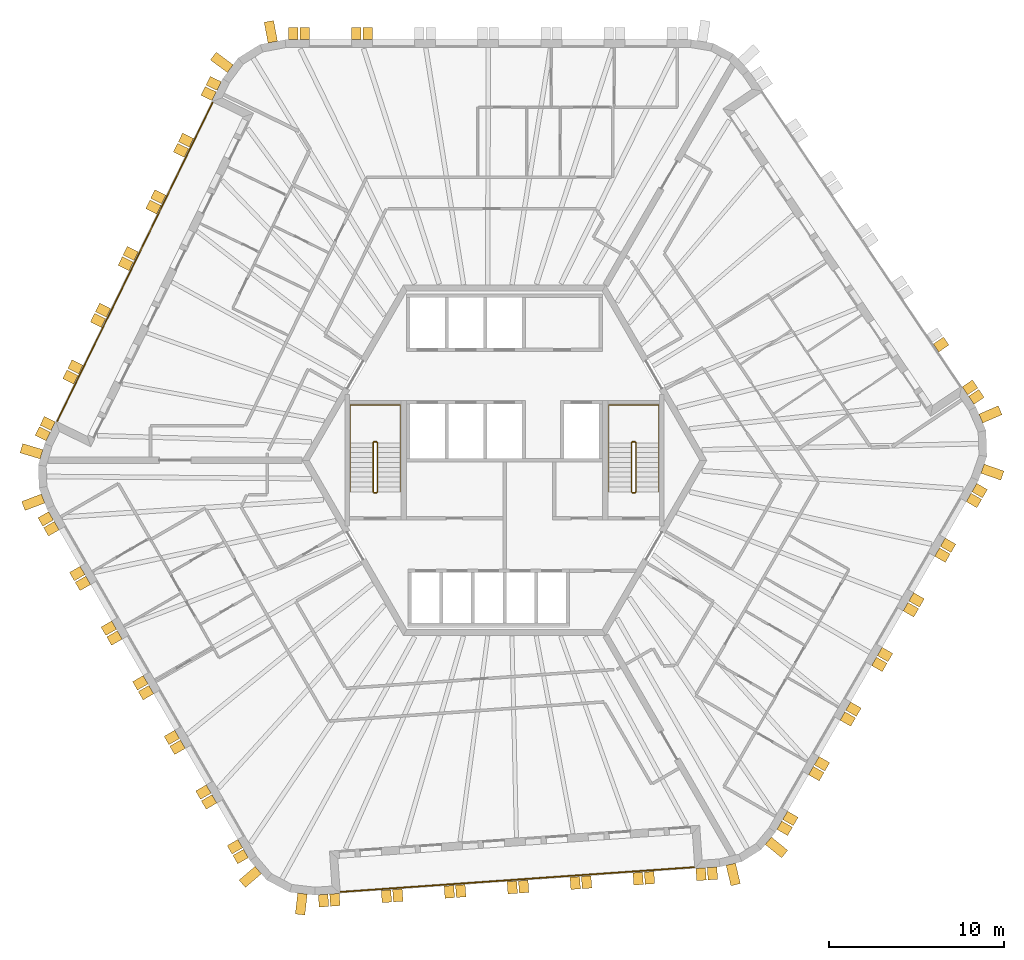
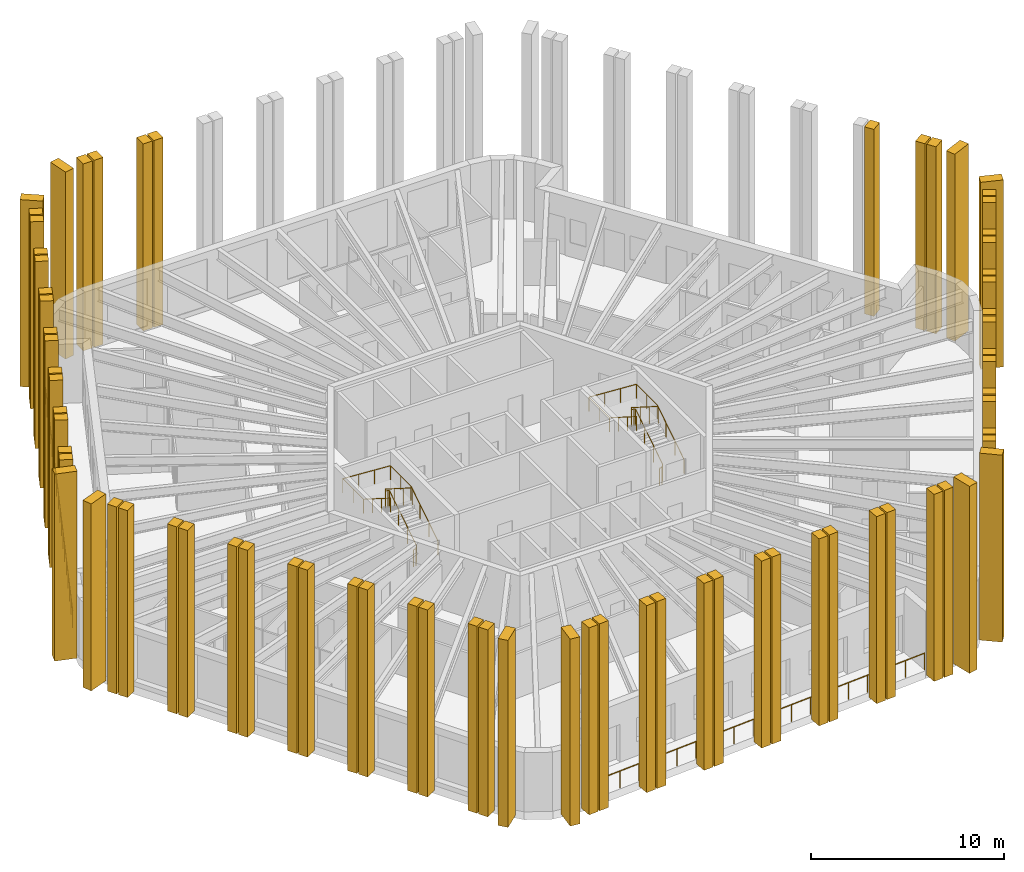
# One storey, part 11 of 12: 73 shading devices, 6 railings.
"""IFC4 building model written with IfcOpenShell, lengths in metres."""

from ifc_helpers import new_model, si_unit, direction, frame, origin, origin_2d, place, context, subcontext, project, spatial, polyline, circle, outline, extrude, material, layer, layer_set, type_object, element, save


model = new_model("IFC4")

# Units and contexts
model_context = context("Model", 3, precision=1e-05, world=origin(), true_north=direction((0.0, 1.0)))
body_context = subcontext(model_context, "Body", "Model", "MODEL_VIEW")
ifc_project = project(units=[si_unit("LENGTHUNIT", "METRE"), si_unit("AREAUNIT", "SQUARE_METRE"), si_unit("VOLUMEUNIT", "CUBIC_METRE"), si_unit("PLANEANGLEUNIT", "RADIAN"), si_unit("MASSUNIT", "GRAM", prefix="KILO")], contexts=[model_context])

# Site, building, storey
site_placement = place(None, origin())
site = spatial("IfcSite", under=ifc_project, at=site_placement, CompositionType="ELEMENT")
building_placement = place(site_placement, origin())
building = spatial("IfcBuilding", under=site, at=building_placement, Name="Tarnside Tower", CompositionType="ELEMENT")
storey_placement = place(building_placement, frame((0.0, 0.0, 349.5)))
storey = spatial("IfcBuildingStorey", under=building, at=storey_placement, Name="L84", CompositionType="ELEMENT", Elevation=349.5)

# Railings
ifc_material_1 = material(Name="Toughened glass", Category="glass")
railing_type_1 = type_object("IfcRailingType", Name="Glass guard 1100", PredefinedType="GUARDRAIL", material=ifc_material_1)
railing_1_placement = place(storey_placement, frame((-16.645263671875, 20.437744140625, 0.0)))
element("IfcRailing", 1, at=railing_1_placement, inside=storey, type_object=railing_type_1, Name="Loggia guard L84 F2", PredefinedType="GUARDRAIL", context=body_context, shape_type="SweptSolid", body=[
    extrude(circle(Radius=0.030029296875, at=origin_2d()), frame((0.0, 0.0, 1.070068359375), z_axis=(-0.438370743641, -0.898794242928, 0.0), x_axis=(0.898794242928, -0.438370743641, 0.0)), (0.0, 0.0, 1.0), 20.28173828125),
    extrude(circle(Radius=0.02490234375, at=origin_2d()), origin(), (0.0, 0.0, 1.0), 1.0400390625),
    extrude(circle(Radius=0.02490234375, at=origin_2d()), frame((-0.52294921875, -1.072265625, 0.0)), (0.0, 0.0, 1.0), 1.0400390625),
    extrude(circle(Radius=0.02490234375, at=origin_2d()), frame((-1.0458984375, -2.14453125, 0.0)), (0.0, 0.0, 1.0), 1.0400390625),
    extrude(circle(Radius=0.02490234375, at=origin_2d()), frame((-1.569091796875, -3.216796875, 0.0)), (0.0, 0.0, 1.0), 1.0400390625),
    extrude(circle(Radius=0.02490234375, at=origin_2d()), frame((-2.092041015625, -4.2890625, 0.0)), (0.0, 0.0, 1.0), 1.0400390625),
    extrude(circle(Radius=0.02490234375, at=origin_2d()), frame((-2.614990234375, -5.361572265625, 0.0)), (0.0, 0.0, 1.0), 1.0400390625),
    extrude(circle(Radius=0.02490234375, at=origin_2d()), frame((-3.137939453125, -6.433837890625, 0.0)), (0.0, 0.0, 1.0), 1.0400390625),
    extrude(circle(Radius=0.02490234375, at=origin_2d()), frame((-3.660888671875, -7.506103515625, 0.0)), (0.0, 0.0, 1.0), 1.0400390625),
    extrude(circle(Radius=0.02490234375, at=origin_2d()), frame((-4.183837890625, -8.578369140625, 0.0)), (0.0, 0.0, 1.0), 1.0400390625),
    extrude(circle(Radius=0.02490234375, at=origin_2d()), frame((-4.70703125, -9.650634765625, 0.0)), (0.0, 0.0, 1.0), 1.0400390625),
    extrude(circle(Radius=0.02490234375, at=origin_2d()), frame((-5.22998046875, -10.722900390625, 0.0)), (0.0, 0.0, 1.0), 1.0400390625),
    extrude(circle(Radius=0.02490234375, at=origin_2d()), frame((-5.7529296875, -11.795166015625, 0.0)), (0.0, 0.0, 1.0), 1.0400390625),
    extrude(circle(Radius=0.02490234375, at=origin_2d()), frame((-6.27587890625, -12.867431640625, 0.0)), (0.0, 0.0, 1.0), 1.0400390625),
    extrude(circle(Radius=0.02490234375, at=origin_2d()), frame((-6.798828125, -13.93994140625, 0.0)), (0.0, 0.0, 1.0), 1.0400390625),
    extrude(circle(Radius=0.02490234375, at=origin_2d()), frame((-7.32177734375, -15.01220703125, 0.0)), (0.0, 0.0, 1.0), 1.0400390625),
    extrude(circle(Radius=0.02490234375, at=origin_2d()), frame((-7.844970703125, -16.08447265625, 0.0)), (0.0, 0.0, 1.0), 1.0400390625),
    extrude(circle(Radius=0.02490234375, at=origin_2d()), frame((-8.367919921875, -17.15673828125, 0.0)), (0.0, 0.0, 1.0), 1.0400390625),
    extrude(circle(Radius=0.02490234375, at=origin_2d()), frame((-8.890869140625, -18.22900390625, 0.0)), (0.0, 0.0, 1.0), 1.0400390625),
])
railing_2_placement = place(storey_placement, frame((-9.376953125, -24.634033203125, 0.0)))
element("IfcRailing", 2, at=railing_2_placement, inside=storey, type_object=railing_type_1, Name="Loggia guard L84 F4", PredefinedType="GUARDRAIL", context=body_context, shape_type="SweptSolid", body=[
    extrude(circle(Radius=0.030029296875, at=origin_2d()), frame((0.0, 0.0, 1.070068359375), z_axis=(0.997563970542, 0.069757613753, 0.0), x_axis=(-0.069757613753, 0.997563970542, 0.0)), (0.0, 0.0, 1.0), 20.281494140625),
    extrude(circle(Radius=0.02490234375, at=origin_2d()), origin(), (0.0, 0.0, 1.0), 1.0400390625),
    extrude(circle(Radius=0.02490234375, at=origin_2d()), frame((1.190185546875, 0.083251953125, 0.0)), (0.0, 0.0, 1.0), 1.0400390625),
    extrude(circle(Radius=0.02490234375, at=origin_2d()), frame((2.38037109375, 0.16650390625, 0.0)), (0.0, 0.0, 1.0), 1.0400390625),
    extrude(circle(Radius=0.02490234375, at=origin_2d()), frame((3.5703125, 0.249755859375, 0.0)), (0.0, 0.0, 1.0), 1.0400390625),
    extrude(circle(Radius=0.02490234375, at=origin_2d()), frame((4.760498046875, 0.3330078125, 0.0)), (0.0, 0.0, 1.0), 1.0400390625),
    extrude(circle(Radius=0.02490234375, at=origin_2d()), frame((5.95068359375, 0.416015625, 0.0)), (0.0, 0.0, 1.0), 1.0400390625),
    extrude(circle(Radius=0.02490234375, at=origin_2d()), frame((7.140869140625, 0.499267578125, 0.0)), (0.0, 0.0, 1.0), 1.0400390625),
    extrude(circle(Radius=0.02490234375, at=origin_2d()), frame((8.330810546875, 0.58251953125, 0.0)), (0.0, 0.0, 1.0), 1.0400390625),
    extrude(circle(Radius=0.02490234375, at=origin_2d()), frame((9.52099609375, 0.665771484375, 0.0)), (0.0, 0.0, 1.0), 1.0400390625),
    extrude(circle(Radius=0.02490234375, at=origin_2d()), frame((10.711181640625, 0.7490234375, 0.0)), (0.0, 0.0, 1.0), 1.0400390625),
    extrude(circle(Radius=0.02490234375, at=origin_2d()), frame((11.9013671875, 0.832275390625, 0.0)), (0.0, 0.0, 1.0), 1.0400390625),
    extrude(circle(Radius=0.02490234375, at=origin_2d()), frame((13.09130859375, 0.91552734375, 0.0)), (0.0, 0.0, 1.0), 1.0400390625),
    extrude(circle(Radius=0.02490234375, at=origin_2d()), frame((14.281494140625, 0.998779296875, 0.0)), (0.0, 0.0, 1.0), 1.0400390625),
    extrude(circle(Radius=0.02490234375, at=origin_2d()), frame((15.4716796875, 1.081787109375, 0.0)), (0.0, 0.0, 1.0), 1.0400390625),
    extrude(circle(Radius=0.02490234375, at=origin_2d()), frame((16.661865234375, 1.1650390625, 0.0)), (0.0, 0.0, 1.0), 1.0400390625),
    extrude(circle(Radius=0.02490234375, at=origin_2d()), frame((17.851806640625, 1.248291015625, 0.0)), (0.0, 0.0, 1.0), 1.0400390625),
    extrude(circle(Radius=0.02490234375, at=origin_2d()), frame((19.0419921875, 1.33154296875, 0.0)), (0.0, 0.0, 1.0), 1.0400390625),
    extrude(circle(Radius=0.02490234375, at=origin_2d()), frame((20.232177734375, 1.414794921875, 0.0)), (0.0, 0.0, 1.0), 1.0400390625),
])

# Shading devices
ifc_material_2 = material(Name="Concrete C50/60 white precast", Category="concrete")
ifc_layer_1 = layer(ifc_material_2, 0.550048828125)
ifc_layer_set_1 = layer_set([ifc_layer_1], Name="Precast fin 550 x 1200")
shading_device_type_1 = type_object("IfcShadingDeviceType", Name="Precast fin 550 x 1200", PredefinedType="USERDEFINED", material=ifc_layer_set_1)
for number, where, z_axis, x_axis, name in (
    (3, (-13.2255859375, 23.86669921875, -0.300048828125), (0.982720646705, 0.18509492305, 0.0), (-0.18509492305, 0.982720646705, 0.0), "Precast fin"),
    (4, (-15.653564453125, 22.349609375, -0.300048828125), (0.597158591707, 0.802123192752, 0.0), (-0.802123192752, 0.597158591707, 0.0), "Precast fin"),
    (5, (-26.421630859375, 0.34228515625, -0.300048828125), (0.286803232717, 0.957989512314, 0.0), (-0.957989512314, 0.286803232717, 0.0), "Precast fin"),
    (6, (-26.33349609375, -2.1845703125, -0.300048828125), (-0.352930564719, 0.935649515837, 0.0), (-0.935649515837, -0.352930564719, 0.0), "Precast fin"),
    (7, (-14.056396484375, -23.38720703125, -0.300048828125), (-0.651657228826, 0.758513583345, 0.0), (-0.758513583345, -0.651657228826, 0.0), "Precast fin"),
    (8, (-11.528564453125, -24.731201171875, -0.300048828125), (-0.993238357741, 0.116092914131, 0.0), (-0.116092914131, -0.993238357741, 0.0), "Precast fin"),
    (9, (12.914306640625, -23.052978515625, -0.300048828125), (-0.973044870581, -0.230615870737, 0.0), (0.230615870737, -0.973044870581, 0.0), "Precast fin"),
    (10, (15.05859375, -21.713134765625, -0.300048828125), (-0.633830967394, -0.773471592738, 0.0), (0.773471592738, -0.633830967394, 0.0), "Precast fin"),
    (11, (27.281982421875, -0.4794921875, -0.300048828125), (-0.331063417879, -0.943608506396, 0.0), (0.943608506396, -0.331063417879, 0.0), "Precast fin"),
    (12, (27.18212890625, 2.381591796875, -0.300048828125), (0.396079766034, -0.918216106883, 0.0), (0.918216106883, 0.396079766034, 0.0), "Precast fin"),
):
    element("IfcShadingDevice", number, at=place(storey_placement, frame(where, z_axis=z_axis, x_axis=x_axis)), inside=storey, type_object=shading_device_type_1, Name=name, ObjectType="FIN", PredefinedType="USERDEFINED", context=body_context, shape_type="SweptSolid", body=[
        extrude(outline(polyline([(0.0, 0.0), (1.199951171875, 0.0), (1.199951171875, 11.85009765625), (0.0, 11.85009765625), (0.0, 0.0)])), frame((0.0, 0.0, -0.27490234375)), (0.0, 0.0, 1.0), 0.550048828125),
    ])
ifc_layer_2 = layer(ifc_material_2, 0.550048828125)
ifc_layer_set_2 = layer_set([ifc_layer_2], Name="Precast fin 550 x 700")
shading_device_type_2 = type_object("IfcShadingDeviceType", Name="Precast fin 550 x 700", PredefinedType="USERDEFINED", material=ifc_layer_set_2)
for number, where, z_axis, x_axis, name in (
    (13, (-7.806640625, 24.0, -0.300048828125), (1.0, 0.0, 0.0), (0.0, 1.0, 0.0), "Precast fin"),
    (14, (-8.45654296875, 24.0, -0.300048828125), (1.0, 0.0, 0.0), (0.0, 1.0, 0.0), "Precast fin"),
    (15, (-11.406494140625, 24.0, -0.300048828125), (1.0, 0.0, 0.0), (0.0, 1.0, 0.0), "Precast fin"),
    (16, (-12.056640625, 24.0, -0.300048828125), (1.0, 0.0, 0.0), (0.0, 1.0, 0.0), "Precast fin"),
    (17, (-16.285888671875, 21.357177734375, -0.300048828125), (0.438371146789, 0.898794046299, 0.0), (-0.898794046299, 0.438371146789, 0.0), "Precast fin"),
    (18, (-16.57080078125, 20.773193359375, -0.300048828125), (0.438371146789, 0.898794046299, 0.0), (-0.898794046299, 0.438371146789, 0.0), "Precast fin"),
    (19, (-17.864013671875, 18.12158203125, -0.300048828125), (0.438371146789, 0.898794046299, 0.0), (-0.898794046299, 0.438371146789, 0.0), "Precast fin"),
    (20, (-18.14892578125, 17.537353515625, -0.300048828125), (0.438371146789, 0.898794046299, 0.0), (-0.898794046299, 0.438371146789, 0.0), "Precast fin"),
    (21, (-19.442138671875, 14.885986328125, -0.300048828125), (0.438371146789, 0.898794046299, 0.0), (-0.898794046299, 0.438371146789, 0.0), "Precast fin"),
    (22, (-19.72705078125, 14.3017578125, -0.300048828125), (0.438371146789, 0.898794046299, 0.0), (-0.898794046299, 0.438371146789, 0.0), "Precast fin"),
    (23, (-21.020263671875, 11.650390625, -0.300048828125), (0.438371146789, 0.898794046299, 0.0), (-0.898794046299, 0.438371146789, 0.0), "Precast fin"),
    (24, (-21.30517578125, 11.066162109375, -0.300048828125), (0.438371146789, 0.898794046299, 0.0), (-0.898794046299, 0.438371146789, 0.0), "Precast fin"),
    (25, (-22.598388671875, 8.41455078125, -0.300048828125), (0.438371146789, 0.898794046299, 0.0), (-0.898794046299, 0.438371146789, 0.0), "Precast fin"),
    (26, (-22.88330078125, 7.83056640625, -0.300048828125), (0.438371146789, 0.898794046299, 0.0), (-0.898794046299, 0.438371146789, 0.0), "Precast fin"),
    (27, (-24.176513671875, 5.178955078125, -0.300048828125), (0.438371146789, 0.898794046299, 0.0), (-0.898794046299, 0.438371146789, 0.0), "Precast fin"),
    (28, (-24.46142578125, 4.5947265625, -0.300048828125), (0.438371146789, 0.898794046299, 0.0), (-0.898794046299, 0.438371146789, 0.0), "Precast fin"),
    (29, (-25.754638671875, 1.943359375, -0.300048828125), (0.438371146789, 0.898794046299, 0.0), (-0.898794046299, 0.438371146789, 0.0), "Precast fin"),
    (30, (-26.03955078125, 1.359130859375, -0.300048828125), (0.438371146789, 0.898794046299, 0.0), (-0.898794046299, 0.438371146789, 0.0), "Precast fin"),
    (31, (-25.88134765625, -3.17236328125, -0.300048828125), (-0.5, 0.866025403784, 0.0), (-0.866025403784, -0.5, 0.0), "Precast fin"),
    (32, (-25.556396484375, -3.735107421875, -0.300048828125), (-0.5, 0.866025403784, 0.0), (-0.866025403784, -0.5, 0.0), "Precast fin"),
    (33, (-24.081298828125, -6.2900390625, -0.300048828125), (-0.5, 0.866025403784, 0.0), (-0.866025403784, -0.5, 0.0), "Precast fin"),
    (34, (-23.75634765625, -6.852783203125, -0.300048828125), (-0.5, 0.866025403784, 0.0), (-0.866025403784, -0.5, 0.0), "Precast fin"),
    (35, (-22.28125, -9.40771484375, -0.300048828125), (-0.5, 0.866025403784, 0.0), (-0.866025403784, -0.5, 0.0), "Precast fin"),
    (36, (-21.956298828125, -9.970458984375, -0.300048828125), (-0.5, 0.866025403784, 0.0), (-0.866025403784, -0.5, 0.0), "Precast fin"),
    (37, (-20.481201171875, -12.525390625, -0.300048828125), (-0.5, 0.866025403784, 0.0), (-0.866025403784, -0.5, 0.0), "Precast fin"),
    (38, (-20.15625, -13.08837890625, -0.300048828125), (-0.5, 0.866025403784, 0.0), (-0.866025403784, -0.5, 0.0), "Precast fin"),
    (39, (-18.681396484375, -15.64306640625, -0.300048828125), (-0.5, 0.866025403784, 0.0), (-0.866025403784, -0.5, 0.0), "Precast fin"),
    (40, (-18.356201171875, -16.2060546875, -0.300048828125), (-0.5, 0.866025403784, 0.0), (-0.866025403784, -0.5, 0.0), "Precast fin"),
    (41, (-16.88134765625, -18.7607421875, -0.300048828125), (-0.5, 0.866025403784, 0.0), (-0.866025403784, -0.5, 0.0), "Precast fin"),
    (42, (-16.556396484375, -19.32373046875, -0.300048828125), (-0.5, 0.866025403784, 0.0), (-0.866025403784, -0.5, 0.0), "Precast fin"),
    (43, (-15.081298828125, -21.87841796875, -0.300048828125), (-0.5, 0.866025403784, 0.0), (-0.866025403784, -0.5, 0.0), "Precast fin"),
    (44, (-14.75634765625, -22.44140625, -0.300048828125), (-0.5, 0.866025403784, 0.0), (-0.866025403784, -0.5, 0.0), "Precast fin"),
    (45, (-10.35302734375, -24.782470703125, -0.300048828125), (-0.99756405026, -0.069756473744, 0.0), (0.069756473744, -0.99756405026, 0.0), "Precast fin"),
    (46, (-9.70458984375, -24.7373046875, -0.300048828125), (-0.99756405026, -0.069756473744, 0.0), (0.069756473744, -0.99756405026, 0.0), "Precast fin"),
    (47, (-6.76171875, -24.531494140625, -0.300048828125), (-0.99756405026, -0.069756473744, 0.0), (0.069756473744, -0.99756405026, 0.0), "Precast fin"),
    (48, (-6.113525390625, -24.486083984375, -0.300048828125), (-0.99756405026, -0.069756473744, 0.0), (0.069756473744, -0.99756405026, 0.0), "Precast fin"),
    (49, (-3.170654296875, -24.2802734375, -0.300048828125), (-0.99756405026, -0.069756473744, 0.0), (0.069756473744, -0.99756405026, 0.0), "Precast fin"),
    (50, (-2.522216796875, -24.23486328125, -0.300048828125), (-0.99756405026, -0.069756473744, 0.0), (0.069756473744, -0.99756405026, 0.0), "Precast fin"),
    (51, (0.420654296875, -24.029296875, -0.300048828125), (-0.99756405026, -0.069756473744, 0.0), (0.069756473744, -0.99756405026, 0.0), "Precast fin"),
    (52, (1.069091796875, -23.98388671875, -0.300048828125), (-0.99756405026, -0.069756473744, 0.0), (0.069756473744, -0.99756405026, 0.0), "Precast fin"),
    (53, (4.011962890625, -23.778076171875, -0.300048828125), (-0.99756405026, -0.069756473744, 0.0), (0.069756473744, -0.99756405026, 0.0), "Precast fin"),
    (54, (4.66015625, -23.732666015625, -0.300048828125), (-0.99756405026, -0.069756473744, 0.0), (0.069756473744, -0.99756405026, 0.0), "Precast fin"),
    (55, (7.60302734375, -23.52685546875, -0.300048828125), (-0.99756405026, -0.069756473744, 0.0), (0.069756473744, -0.99756405026, 0.0), "Precast fin"),
    (56, (8.25146484375, -23.481689453125, -0.300048828125), (-0.99756405026, -0.069756473744, 0.0), (0.069756473744, -0.99756405026, 0.0), "Precast fin"),
    (57, (11.1943359375, -23.27587890625, -0.300048828125), (-0.99756405026, -0.069756473744, 0.0), (0.069756473744, -0.99756405026, 0.0), "Precast fin"),
    (58, (11.8427734375, -23.23046875, -0.300048828125), (-0.99756405026, -0.069756473744, 0.0), (0.069756473744, -0.99756405026, 0.0), "Precast fin"),
    (59, (15.68798828125, -20.82763671875, -0.300048828125), (-0.5, -0.866025403784, 0.0), (0.866025403784, -0.5, 0.0), "Precast fin"),
    (60, (16.012939453125, -20.264892578125, -0.300048828125), (-0.5, -0.866025403784, 0.0), (0.866025403784, -0.5, 0.0), "Precast fin"),
    (61, (17.488037109375, -17.7099609375, -0.300048828125), (-0.5, -0.866025403784, 0.0), (0.866025403784, -0.5, 0.0), "Precast fin"),
    (62, (17.81298828125, -17.147216796875, -0.300048828125), (-0.5, -0.866025403784, 0.0), (0.866025403784, -0.5, 0.0), "Precast fin"),
    (63, (19.287841796875, -14.59228515625, -0.300048828125), (-0.5, -0.866025403784, 0.0), (0.866025403784, -0.5, 0.0), "Precast fin"),
    (64, (19.613037109375, -14.029541015625, -0.300048828125), (-0.5, -0.866025403784, 0.0), (0.866025403784, -0.5, 0.0), "Precast fin"),
    (65, (21.087890625, -11.474609375, -0.300048828125), (-0.5, -0.866025403784, 0.0), (0.866025403784, -0.5, 0.0), "Precast fin"),
    (66, (21.412841796875, -10.91162109375, -0.300048828125), (-0.5, -0.866025403784, 0.0), (0.866025403784, -0.5, 0.0), "Precast fin"),
    (67, (22.887939453125, -8.35693359375, -0.300048828125), (-0.5, -0.866025403784, 0.0), (0.866025403784, -0.5, 0.0), "Precast fin"),
    (68, (23.212890625, -7.7939453125, -0.300048828125), (-0.5, -0.866025403784, 0.0), (0.866025403784, -0.5, 0.0), "Precast fin"),
    (69, (24.68798828125, -5.2392578125, -0.300048828125), (-0.5, -0.866025403784, 0.0), (0.866025403784, -0.5, 0.0), "Precast fin"),
    (70, (25.012939453125, -4.67626953125, -0.300048828125), (-0.5, -0.866025403784, 0.0), (0.866025403784, -0.5, 0.0), "Precast fin"),
    (71, (26.488037109375, -2.12158203125, -0.300048828125), (-0.5, -0.866025403784, 0.0), (0.866025403784, -0.5, 0.0), "Precast fin"),
    (72, (26.81298828125, -1.55859375, -0.300048828125), (-0.5, -0.866025403784, 0.0), (0.866025403784, -0.5, 0.0), "Precast fin"),
    (73, (26.638916015625, 3.42529296875, -0.300048828125), (0.559192903471, -0.829037572555, 0.0), (0.829037572555, 0.559192903471, 0.0), "Precast fin"),
    (74, (26.275390625, 3.964111328125, -0.300048828125), (0.559192903471, -0.829037572555, 0.0), (0.829037572555, 0.559192903471, 0.0), "Precast fin"),
    (75, (24.625732421875, 6.409912109375, -0.300048828125), (0.559192903471, -0.829037572555, 0.0), (0.829037572555, 0.559192903471, 0.0), "Precast fin"),
):
    element("IfcShadingDevice", number, at=place(storey_placement, frame(where, z_axis=z_axis, x_axis=x_axis)), inside=storey, type_object=shading_device_type_2, Name=name, ObjectType="FIN", PredefinedType="USERDEFINED", context=body_context, shape_type="SweptSolid", body=[
        extrude(outline(polyline([(0.0, 0.0), (0.699951171875, 0.0), (0.699951171875, 11.85009765625), (0.0, 11.85009765625), (0.0, 0.0)])), frame((0.0, 0.0, -0.27490234375)), (0.0, 0.0, 1.0), 0.550048828125),
    ])

# Railings
ifc_material_3 = material(Name="Stainless steel", Category="steel")
railing_type_2 = type_object("IfcRailingType", Name="Stair guard 1100", PredefinedType="GUARDRAIL", material=ifc_material_3)
railing_3_placement = place(storey_placement, frame((7.300048828125, -1.85009765625, 0.0)))
element("IfcRailing", 76, at=railing_3_placement, inside=storey, type_object=railing_type_2, Name="L84 ST1 stair guard 1", PredefinedType="GUARDRAIL", context=body_context, shape_type="SweptSolid", body=[
    extrude(circle(Radius=0.02392578125, at=origin_2d()), frame((0.0, 0.0, 1.076171875), z_axis=(1.0, 0.0, 0.0), x_axis=(0.0, 1.0, 0.0)), (0.0, 0.0, 1.0), 0.14990234375),
    extrude(circle(Radius=0.02392578125, at=origin_2d()), frame((0.14990234375, 0.0, 1.076171875), z_axis=(0.262233686654, 0.262233686654, 0.928691007369), x_axis=(-0.707106781187, 0.707106781187, 0.0)), (0.0, 0.0, 1.0), 0.19091796875),
    extrude(circle(Radius=0.02392578125, at=origin_2d()), frame((0.199951171875, 0.050048828125, 1.25341796875), z_axis=(0.0, 0.844908973607, 0.534910110503), x_axis=(-1.0, 0.0, 0.0)), (0.0, 0.0, 1.0), 3.31396484375),
    extrude(circle(Radius=0.02392578125, at=origin_2d()), frame((0.199951171875, 2.85009765625, 3.02587890625), z_axis=(-0.707106781187, 0.707106781187, 0.0), x_axis=(-0.707106781187, -0.707106781187, 0.0)), (0.0, 0.0, 1.0), 0.07080078125),
    extrude(circle(Radius=0.02392578125, at=origin_2d()), frame((0.14990234375, 2.900146484375, 3.02587890625), z_axis=(-1.0, 0.0, 0.0), x_axis=(0.0, -1.0, 0.0)), (0.0, 0.0, 1.0), 0.14990234375),
    extrude(circle(Radius=0.02392578125, at=origin_2d()), frame((0.0, 2.900146484375, 3.02587890625), z_axis=(-0.262233686654, -0.262233686654, 0.928691007369), x_axis=(0.707106781187, -0.707106781187, 0.0)), (0.0, 0.0, 1.0), 0.19091796875),
    extrude(circle(Radius=0.02392578125, at=origin_2d()), frame((-0.050048828125, 2.85009765625, 3.203125), z_axis=(0.0, -0.844908973607, 0.534910110503), x_axis=(1.0, 0.0, 0.0)), (0.0, 0.0, 1.0), 3.31396484375),
    extrude(circle(Radius=0.02099609375, at=origin_2d()), origin(), (0.0, 0.0, 1.0), 1.052001953125),
    extrude(circle(Radius=0.02099609375, at=origin_2d()), frame((0.14990234375, 0.0, 0.0)), (0.0, 0.0, 1.0), 1.052001953125),
    extrude(circle(Radius=0.02099609375, at=origin_2d()), frame((0.199951171875, 0.050048828125, 0.17724609375)), (0.0, 0.0, 1.0), 1.052001953125),
    extrude(circle(Radius=0.02099609375, at=origin_2d()), frame((0.199951171875, 0.9833984375, 0.76806640625)), (0.0, 0.0, 1.0), 1.052001953125),
    extrude(circle(Radius=0.02099609375, at=origin_2d()), frame((0.199951171875, 1.916748046875, 1.359130859375)), (0.0, 0.0, 1.0), 1.052001953125),
    extrude(circle(Radius=0.02099609375, at=origin_2d()), frame((0.199951171875, 2.85009765625, 1.949951171875)), (0.0, 0.0, 1.0), 1.052001953125),
    extrude(circle(Radius=0.02099609375, at=origin_2d()), frame((0.14990234375, 2.900146484375, 1.949951171875)), (0.0, 0.0, 1.0), 1.052001953125),
    extrude(circle(Radius=0.02099609375, at=origin_2d()), frame((0.0, 2.900146484375, 1.949951171875)), (0.0, 0.0, 1.0), 1.052001953125),
    extrude(circle(Radius=0.02099609375, at=origin_2d()), frame((-0.050048828125, 2.85009765625, 2.127197265625)), (0.0, 0.0, 1.0), 1.052001953125),
    extrude(circle(Radius=0.02099609375, at=origin_2d()), frame((-0.050048828125, 1.916748046875, 2.718017578125)), (0.0, 0.0, 1.0), 1.052001953125),
    extrude(circle(Radius=0.02099609375, at=origin_2d()), frame((-0.050048828125, 0.9833984375, 3.30908203125)), (0.0, 0.0, 1.0), 1.052001953125),
    extrude(circle(Radius=0.02099609375, at=origin_2d()), frame((-0.050048828125, 0.050048828125, 3.89990234375)), (0.0, 0.0, 1.0), 1.052001953125),
])
railing_4_placement = place(storey_placement, frame((-7.449951171875, -1.85009765625, 0.0)))
element("IfcRailing", 77, at=railing_4_placement, inside=storey, type_object=railing_type_2, Name="L84 ST2 stair guard 1", PredefinedType="GUARDRAIL", context=body_context, shape_type="SweptSolid", body=[
    extrude(circle(Radius=0.02392578125, at=origin_2d()), frame((0.0, 0.0, 1.076171875), z_axis=(1.0, 0.0, 0.0), x_axis=(0.0, 1.0, 0.0)), (0.0, 0.0, 1.0), 0.14990234375),
    extrude(circle(Radius=0.02392578125, at=origin_2d()), frame((0.14990234375, 0.0, 1.076171875), z_axis=(0.262233686654, 0.262233686654, 0.928691007369), x_axis=(-0.707106781187, 0.707106781187, 0.0)), (0.0, 0.0, 1.0), 0.19091796875),
    extrude(circle(Radius=0.02392578125, at=origin_2d()), frame((0.199951171875, 0.050048828125, 1.25341796875), z_axis=(0.0, 0.844908973607, 0.534910110503), x_axis=(-1.0, 0.0, 0.0)), (0.0, 0.0, 1.0), 3.31396484375),
    extrude(circle(Radius=0.02392578125, at=origin_2d()), frame((0.199951171875, 2.85009765625, 3.02587890625), z_axis=(-0.707106781187, 0.707106781187, 0.0), x_axis=(-0.707106781187, -0.707106781187, 0.0)), (0.0, 0.0, 1.0), 0.07080078125),
    extrude(circle(Radius=0.02392578125, at=origin_2d()), frame((0.14990234375, 2.900146484375, 3.02587890625), z_axis=(-1.0, 0.0, 0.0), x_axis=(0.0, -1.0, 0.0)), (0.0, 0.0, 1.0), 0.14990234375),
    extrude(circle(Radius=0.02392578125, at=origin_2d()), frame((0.0, 2.900146484375, 3.02587890625), z_axis=(-0.262233686654, -0.262233686654, 0.928691007369), x_axis=(0.707106781187, -0.707106781187, 0.0)), (0.0, 0.0, 1.0), 0.19091796875),
    extrude(circle(Radius=0.02392578125, at=origin_2d()), frame((-0.050048828125, 2.85009765625, 3.203125), z_axis=(0.0, -0.844908973607, 0.534910110503), x_axis=(1.0, 0.0, 0.0)), (0.0, 0.0, 1.0), 3.31396484375),
    extrude(circle(Radius=0.02099609375, at=origin_2d()), origin(), (0.0, 0.0, 1.0), 1.052001953125),
    extrude(circle(Radius=0.02099609375, at=origin_2d()), frame((0.14990234375, 0.0, 0.0)), (0.0, 0.0, 1.0), 1.052001953125),
    extrude(circle(Radius=0.02099609375, at=origin_2d()), frame((0.199951171875, 0.050048828125, 0.17724609375)), (0.0, 0.0, 1.0), 1.052001953125),
    extrude(circle(Radius=0.02099609375, at=origin_2d()), frame((0.199951171875, 0.9833984375, 0.76806640625)), (0.0, 0.0, 1.0), 1.052001953125),
    extrude(circle(Radius=0.02099609375, at=origin_2d()), frame((0.199951171875, 1.916748046875, 1.359130859375)), (0.0, 0.0, 1.0), 1.052001953125),
    extrude(circle(Radius=0.02099609375, at=origin_2d()), frame((0.199951171875, 2.85009765625, 1.949951171875)), (0.0, 0.0, 1.0), 1.052001953125),
    extrude(circle(Radius=0.02099609375, at=origin_2d()), frame((0.14990234375, 2.900146484375, 1.949951171875)), (0.0, 0.0, 1.0), 1.052001953125),
    extrude(circle(Radius=0.02099609375, at=origin_2d()), frame((0.0, 2.900146484375, 1.949951171875)), (0.0, 0.0, 1.0), 1.052001953125),
    extrude(circle(Radius=0.02099609375, at=origin_2d()), frame((-0.050048828125, 2.85009765625, 2.127197265625)), (0.0, 0.0, 1.0), 1.052001953125),
    extrude(circle(Radius=0.02099609375, at=origin_2d()), frame((-0.050048828125, 1.916748046875, 2.718017578125)), (0.0, 0.0, 1.0), 1.052001953125),
    extrude(circle(Radius=0.02099609375, at=origin_2d()), frame((-0.050048828125, 0.9833984375, 3.30908203125)), (0.0, 0.0, 1.0), 1.052001953125),
    extrude(circle(Radius=0.02099609375, at=origin_2d()), frame((-0.050048828125, 0.050048828125, 3.89990234375)), (0.0, 0.0, 1.0), 1.052001953125),
])
railing_type_3 = type_object("IfcRailingType", Name="Stair handrail 900", PredefinedType="HANDRAIL", material=ifc_material_3)
railing_5_placement = place(storey_placement, frame((8.800048828125, -1.800048828125, 0.17724609375)))
element("IfcRailing", 78, at=railing_5_placement, inside=storey, type_object=railing_type_3, Name="L84 ST1 stair handrail 1", PredefinedType="HANDRAIL", context=body_context, shape_type="SweptSolid", body=[
    extrude(circle(Radius=0.02392578125, at=origin_2d()), frame((0.0, 0.0, 0.8857421875), z_axis=(0.0, 0.844908973607, 0.534910110503), x_axis=(-1.0, 0.0, 0.0)), (0.0, 0.0, 1.0), 3.31396484375),
    extrude(circle(Radius=0.02392578125, at=origin_2d()), frame((0.0, 2.800048828125, 2.65869140625), z_axis=(0.0, 1.0, 0.0), x_axis=(-1.0, 0.0, 0.0)), (0.0, 0.0, 1.0), 2.14990234375),
    extrude(circle(Radius=0.02392578125, at=origin_2d()), frame((0.0, 4.949951171875, 2.65869140625), z_axis=(-0.998071825391, 0.0, 0.06206956872), x_axis=(0.0, -1.0, 0.0)), (0.0, 0.0, 1.0), 2.855712890625),
    extrude(circle(Radius=0.02392578125, at=origin_2d()), frame((-2.85009765625, 4.949951171875, 2.8359375), z_axis=(0.0, -1.0, 0.0), x_axis=(1.0, 0.0, 0.0)), (0.0, 0.0, 1.0), 2.14990234375),
    extrude(circle(Radius=0.02392578125, at=origin_2d()), frame((-2.85009765625, 2.800048828125, 2.8359375), z_axis=(0.0, -0.844908973607, 0.534910110503), x_axis=(1.0, 0.0, 0.0)), (0.0, 0.0, 1.0), 3.31396484375),
    extrude(circle(Radius=0.02099609375, at=origin_2d()), origin(), (0.0, 0.0, 1.0), 0.86181640625),
    extrude(circle(Radius=0.02099609375, at=origin_2d()), frame((0.0, 0.933349609375, 0.5908203125)), (0.0, 0.0, 1.0), 0.86181640625),
    extrude(circle(Radius=0.02099609375, at=origin_2d()), frame((0.0, 1.86669921875, 1.181884765625)), (0.0, 0.0, 1.0), 0.86181640625),
    extrude(circle(Radius=0.02099609375, at=origin_2d()), frame((0.0, 2.800048828125, 1.772705078125)), (0.0, 0.0, 1.0), 0.86181640625),
    extrude(circle(Radius=0.02099609375, at=origin_2d()), frame((0.0, 3.875, 1.772705078125)), (0.0, 0.0, 1.0), 0.86181640625),
    extrude(circle(Radius=0.02099609375, at=origin_2d()), frame((0.0, 4.949951171875, 1.772705078125)), (0.0, 0.0, 1.0), 0.86181640625),
    extrude(circle(Radius=0.02099609375, at=origin_2d()), frame((-0.949951171875, 4.949951171875, 1.831787109375)), (0.0, 0.0, 1.0), 0.86181640625),
    extrude(circle(Radius=0.02099609375, at=origin_2d()), frame((-1.900146484375, 4.949951171875, 1.890869140625)), (0.0, 0.0, 1.0), 0.86181640625),
    extrude(circle(Radius=0.02099609375, at=origin_2d()), frame((-2.85009765625, 4.949951171875, 1.949951171875)), (0.0, 0.0, 1.0), 0.86181640625),
    extrude(circle(Radius=0.02099609375, at=origin_2d()), frame((-2.85009765625, 3.875, 1.949951171875)), (0.0, 0.0, 1.0), 0.86181640625),
    extrude(circle(Radius=0.02099609375, at=origin_2d()), frame((-2.85009765625, 2.800048828125, 1.949951171875)), (0.0, 0.0, 1.0), 0.86181640625),
    extrude(circle(Radius=0.02099609375, at=origin_2d()), frame((-2.85009765625, 1.86669921875, 2.540771484375)), (0.0, 0.0, 1.0), 0.86181640625),
    extrude(circle(Radius=0.02099609375, at=origin_2d()), frame((-2.85009765625, 0.933349609375, 3.1318359375)), (0.0, 0.0, 1.0), 0.86181640625),
    extrude(circle(Radius=0.02099609375, at=origin_2d()), frame((-2.85009765625, 0.0, 3.72265625)), (0.0, 0.0, 1.0), 0.86181640625),
])
railing_6_placement = place(storey_placement, frame((-5.949951171875, -1.800048828125, 0.17724609375)))
element("IfcRailing", 79, at=railing_6_placement, inside=storey, type_object=railing_type_3, Name="L84 ST2 stair handrail 1", PredefinedType="HANDRAIL", context=body_context, shape_type="SweptSolid", body=[
    extrude(circle(Radius=0.02392578125, at=origin_2d()), frame((0.0, 0.0, 0.8857421875), z_axis=(0.0, 0.844908973607, 0.534910110503), x_axis=(-1.0, 0.0, 0.0)), (0.0, 0.0, 1.0), 3.31396484375),
    extrude(circle(Radius=0.02392578125, at=origin_2d()), frame((0.0, 2.800048828125, 2.65869140625), z_axis=(0.0, 1.0, 0.0), x_axis=(-1.0, 0.0, 0.0)), (0.0, 0.0, 1.0), 2.14990234375),
    extrude(circle(Radius=0.02392578125, at=origin_2d()), frame((0.0, 4.949951171875, 2.65869140625), z_axis=(-0.998071825391, 0.0, 0.06206956872), x_axis=(0.0, -1.0, 0.0)), (0.0, 0.0, 1.0), 2.855712890625),
    extrude(circle(Radius=0.02392578125, at=origin_2d()), frame((-2.85009765625, 4.949951171875, 2.8359375), z_axis=(0.0, -1.0, 0.0), x_axis=(1.0, 0.0, 0.0)), (0.0, 0.0, 1.0), 2.14990234375),
    extrude(circle(Radius=0.02392578125, at=origin_2d()), frame((-2.85009765625, 2.800048828125, 2.8359375), z_axis=(0.0, -0.844908973607, 0.534910110503), x_axis=(1.0, 0.0, 0.0)), (0.0, 0.0, 1.0), 3.31396484375),
    extrude(circle(Radius=0.02099609375, at=origin_2d()), origin(), (0.0, 0.0, 1.0), 0.86181640625),
    extrude(circle(Radius=0.02099609375, at=origin_2d()), frame((0.0, 0.933349609375, 0.5908203125)), (0.0, 0.0, 1.0), 0.86181640625),
    extrude(circle(Radius=0.02099609375, at=origin_2d()), frame((0.0, 1.86669921875, 1.181884765625)), (0.0, 0.0, 1.0), 0.86181640625),
    extrude(circle(Radius=0.02099609375, at=origin_2d()), frame((0.0, 2.800048828125, 1.772705078125)), (0.0, 0.0, 1.0), 0.86181640625),
    extrude(circle(Radius=0.02099609375, at=origin_2d()), frame((0.0, 3.875, 1.772705078125)), (0.0, 0.0, 1.0), 0.86181640625),
    extrude(circle(Radius=0.02099609375, at=origin_2d()), frame((0.0, 4.949951171875, 1.772705078125)), (0.0, 0.0, 1.0), 0.86181640625),
    extrude(circle(Radius=0.02099609375, at=origin_2d()), frame((-0.949951171875, 4.949951171875, 1.831787109375)), (0.0, 0.0, 1.0), 0.86181640625),
    extrude(circle(Radius=0.02099609375, at=origin_2d()), frame((-1.900146484375, 4.949951171875, 1.890869140625)), (0.0, 0.0, 1.0), 0.86181640625),
    extrude(circle(Radius=0.02099609375, at=origin_2d()), frame((-2.85009765625, 4.949951171875, 1.949951171875)), (0.0, 0.0, 1.0), 0.86181640625),
    extrude(circle(Radius=0.02099609375, at=origin_2d()), frame((-2.85009765625, 3.875, 1.949951171875)), (0.0, 0.0, 1.0), 0.86181640625),
    extrude(circle(Radius=0.02099609375, at=origin_2d()), frame((-2.85009765625, 2.800048828125, 1.949951171875)), (0.0, 0.0, 1.0), 0.86181640625),
    extrude(circle(Radius=0.02099609375, at=origin_2d()), frame((-2.85009765625, 1.86669921875, 2.540771484375)), (0.0, 0.0, 1.0), 0.86181640625),
    extrude(circle(Radius=0.02099609375, at=origin_2d()), frame((-2.85009765625, 0.933349609375, 3.1318359375)), (0.0, 0.0, 1.0), 0.86181640625),
    extrude(circle(Radius=0.02099609375, at=origin_2d()), frame((-2.85009765625, 0.0, 3.72265625)), (0.0, 0.0, 1.0), 0.86181640625),
])

save(model, "model.ifc")
